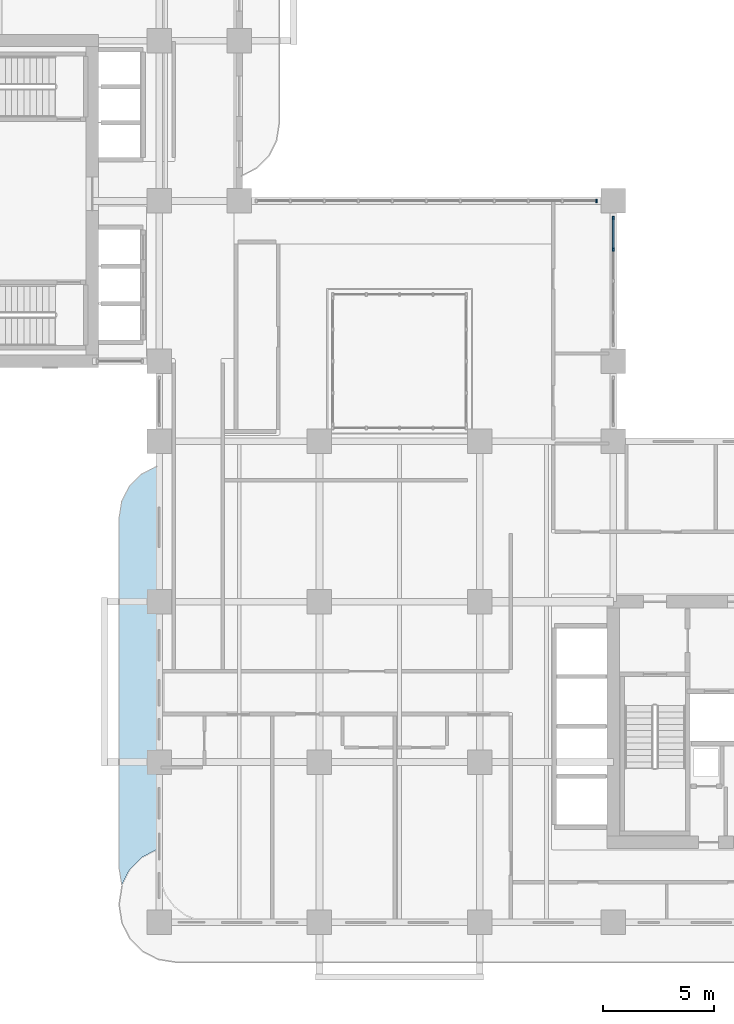
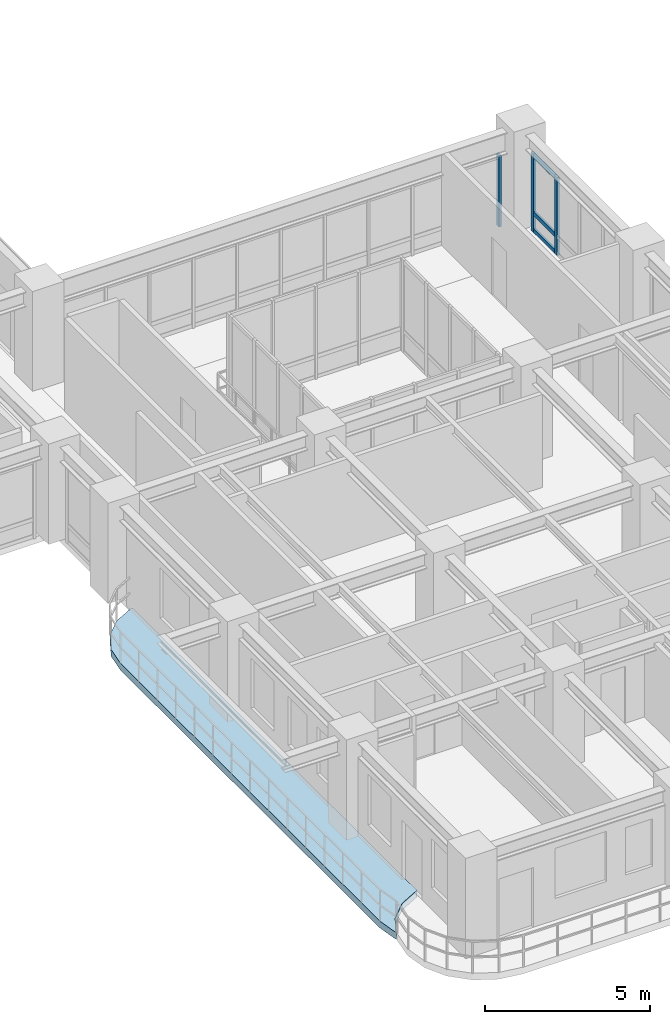
# One storey, part 8 of 22: 6 members, 1 slab, 2 elements without a shape of their own.
"""IFC4 building model written with IfcOpenShell, lengths in metres."""

from ifc_helpers import new_model, si_unit, derived_unit, direction, frame, origin, origin_2d, place, context, subcontext, project, spatial, polyline, rectangle, outline, extrude, source, transform, mapped, material, layer, layer_set, material_profile, profile_set, type_object, element, aggregate, save


model = new_model("IFC4")

# Units and contexts
model_context = context("Model", 3, precision=1e-05, world=origin(), true_north=direction((0.0, 1.0)))
body_context = subcontext(model_context, "Body", "Model", "MODEL_VIEW")
ifc_project = project(units=[si_unit("LENGTHUNIT", "METRE"), si_unit("AREAUNIT", "SQUARE_METRE"), si_unit("VOLUMEUNIT", "CUBIC_METRE"), si_unit("PLANEANGLEUNIT", "RADIAN"), si_unit("MASSUNIT", "GRAM", prefix="KILO"), si_unit("THERMODYNAMICTEMPERATUREUNIT", "KELVIN"), si_unit("POWERUNIT", "WATT"), derived_unit("THERMALTRANSMITTANCEUNIT", [(si_unit("POWERUNIT", "WATT"), 1), (si_unit("AREAUNIT", "SQUARE_METRE"), -1), (si_unit("THERMODYNAMICTEMPERATUREUNIT", "KELVIN"), -1)])], contexts=[model_context])

# Site, building, storey
site_placement = place(None, origin())
site = spatial("IfcSite", under=ifc_project, at=site_placement, CompositionType="ELEMENT")
building_placement = place(site_placement, origin())
building = spatial("IfcBuilding", under=site, at=building_placement, Name="Zahravan Archway Hotel and Residences", CompositionType="ELEMENT")
storey_placement = place(building_placement, frame((0.0, 0.0, 80.5)))
storey = spatial("IfcBuildingStorey", under=building, at=storey_placement, Name="L19", CompositionType="ELEMENT", Elevation=80.5)

# Curtain wall, members
ifc_material_1 = material(Name="Bronze-Anodized Unitised Aluminium & Low-E Glass", Category="aluminium")
ifc_layer_1 = layer(ifc_material_1, 0.179931640625, Name="Bronze-Anodized Unitised Aluminium & Low-E Glass", Category="aluminium")
ifc_layer_set_1 = layer_set([ifc_layer_1], Name="Bronze-Anodized Unitised Aluminium & Low-E Glass")
curtain_wall_type = type_object("IfcCurtainWallType", Name="CW-ATR-GLAZ", PredefinedType="NOTDEFINED", material=ifc_layer_set_1)
curtain_wall_1_placement = place(storey_placement, origin())
curtain_wall_1 = element("IfcCurtainWall", 1, at=curtain_wall_1_placement, inside=storey, type_object=curtain_wall_type, Name="L19 Curtain Wall CW-L19-HNG-E-2", PredefinedType="NOTDEFINED")
ifc_material_2 = material(Name="Bronze-Anodized Extruded Aluminium", Category="aluminium")
ifc_material_profile_1 = material_profile(ifc_material_2, rectangle(XDim=0.080078125, YDim=0.139892578125, at=origin_2d()), Name="TRN 80x140", Category="aluminium")
ifc_profile_set_1 = profile_set([ifc_material_profile_1], Name="Bronze-Anodized Extruded Aluminium")
member_type_1 = type_object("IfcMemberType", Name="CWM-TRN-140", PredefinedType="USERDEFINED", material=ifc_profile_set_1)
shared_shape_1 = source(origin(), body_context, "Body", "SweptSolid", [
    extrude(rectangle(XDim=0.080078125, YDim=0.139892578125, at=origin_2d()), origin(), (0.0, 0.0, 1.0), 1.340087890625),
])
member_1_placement = place(storey_placement, frame((34.800048828125, 30.260009765625, 0.070068359375), z_axis=(0.0, 1.0, 0.0), x_axis=(-1.0, 0.0, 0.0)))
member_1 = element("IfcMember", 2, at=member_1_placement, type_object=member_type_1, Name="CW-L19-HNG-E-2 Transom 3-1", ObjectType="TRANSOM", PredefinedType="USERDEFINED", context=body_context, shape_type="MappedRepresentation", body=[
    mapped(shared_shape_1, transform((0.0, 0.0, 0.0), scale=1.0)),
])
member_2_placement = place(storey_placement, frame((34.800048828125, 30.260009765625, 0.6923828125), z_axis=(0.0, 1.0, 0.0), x_axis=(-1.0, 0.0, 0.0)))
member_2 = element("IfcMember", 3, at=member_2_placement, type_object=member_type_1, Name="CW-L19-HNG-E-2 Transom 3-2", ObjectType="TRANSOM", PredefinedType="USERDEFINED", context=body_context, shape_type="MappedRepresentation", body=[
    mapped(shared_shape_1, transform((0.0, 0.0, 0.0), scale=1.0)),
])
member_3_placement = place(storey_placement, frame((34.800048828125, 30.260009765625, 2.81494140625), z_axis=(0.0, 1.0, 0.0), x_axis=(-1.0, 0.0, 0.0)))
member_3 = element("IfcMember", 4, at=member_3_placement, type_object=member_type_1, Name="CW-L19-HNG-E-2 Transom 3-3", ObjectType="TRANSOM", PredefinedType="USERDEFINED", context=body_context, shape_type="MappedRepresentation", body=[
    mapped(shared_shape_1, transform((0.0, 0.0, 0.0), scale=1.0)),
])
ifc_material_profile_2 = material_profile(ifc_material_2, rectangle(XDim=0.080078125, YDim=0.159912109375, at=origin_2d()), Name="MUL 80x160", Category="aluminium")
ifc_profile_set_2 = profile_set([ifc_material_profile_2], Name="Bronze-Anodized Extruded Aluminium")
member_type_2 = type_object("IfcMemberType", Name="CWM-MUL-160", PredefinedType="MULLION", material=ifc_profile_set_2)
shared_shape_2 = source(origin(), body_context, "Body", "SweptSolid", [
    extrude(rectangle(XDim=0.080078125, YDim=0.159912109375, at=origin_2d()), origin(), (0.0, 0.0, 1.0), 2.885009765625),
])
member_4_placement = place(storey_placement, frame((34.800048828125, 30.219970703125, 0.0), z_axis=(0.0, 0.0, 1.0), x_axis=(1.0, 0.0, 0.0)))
member_4 = element("IfcMember", 5, at=member_4_placement, type_object=member_type_2, Name="CW-L19-HNG-E-2 Mullion 3", PredefinedType="MULLION", context=body_context, shape_type="MappedRepresentation", body=[
    mapped(shared_shape_2, transform((0.0, 0.0, 0.0), scale=1.0)),
])
member_5_placement = place(storey_placement, frame((34.800048828125, 31.639892578125, 0.0), z_axis=(0.0, 0.0, 1.0), x_axis=(1.0, 0.0, 0.0)))
member_5 = element("IfcMember", 6, at=member_5_placement, type_object=member_type_2, Name="CW-L19-HNG-E-2 Mullion 4", PredefinedType="MULLION", context=body_context, shape_type="MappedRepresentation", body=[
    mapped(shared_shape_2, transform((0.0, 0.0, 0.0), scale=1.0)),
])
aggregate(curtain_wall_1, [member_4, member_5, member_1, member_2, member_3])

# Curtain wall, member
curtain_wall_2_placement = place(storey_placement, origin())
curtain_wall_2 = element("IfcCurtainWall", 7, at=curtain_wall_2_placement, inside=storey, type_object=curtain_wall_type, Name="L19 Curtain Wall CW-L19-HNG-N-1", PredefinedType="NOTDEFINED")
shared_shape_3 = source(origin(), body_context, "Body", "SweptSolid", [
    extrude(rectangle(XDim=0.080078125, YDim=0.159912109375, at=origin_2d()), origin(), (0.0, 0.0, 1.0), 2.635009765625),
])
member_6_placement = place(storey_placement, frame((34.0400390625, 32.39990234375, 0.0), z_axis=(0.0, 0.0, 1.0), x_axis=(1.0, 0.0, 0.0)))
member_6 = element("IfcMember", 8, at=member_6_placement, type_object=member_type_2, Name="CW-L19-HNG-N-1 Mullion 10", PredefinedType="MULLION", context=body_context, shape_type="MappedRepresentation", body=[
    mapped(shared_shape_3, transform((0.0, 0.0, 0.0), scale=1.0)),
])
aggregate(curtain_wall_2, [member_6])

# Slab
ifc_material_3 = material(Name="Concrete C45/55", Category="concrete")
ifc_layer_2 = layer(ifc_material_3, 0.25, Name="Concrete C45/55", Category="concrete")
ifc_layer_set_2 = layer_set([ifc_layer_2], Name="Concrete C45/55")
slab_type = type_object("IfcSlabType", Name="SLB-BALC-250", PredefinedType="FLOOR", material=ifc_layer_set_2)
slab_placement = place(storey_placement, frame((0.0, 0.0, -0.25)))
element("IfcSlab", 9, at=slab_placement, inside=storey, type_object=slab_type, Name="L19 Wing A West Rounded Balcony Band", PredefinedType="FLOOR", context=body_context, shape_type="SweptSolid", body=[
    extrude(outline(polyline([(12.719970703125, 1.69287109375), (12.60009765625, 2.449951171875), (12.60009765625, 18.14990234375), (12.719970703125, 18.906982421875), (13.06787109375, 19.590087890625), (13.60986328125, 20.132080078125), (14.29296875, 20.47998046875), (14.3798828125, 20.493896484375), (14.3798828125, 3.298095703125), (14.37890625, 3.298095703125), (14.376953125, 3.2978515625), (14.35888671875, 3.294921875), (14.356689453125, 3.29443359375), (14.354736328125, 3.2939453125), (14.352783203125, 3.29296875), (13.64208984375, 2.930908203125), (13.64013671875, 2.9296875), (13.638427734375, 2.928466796875), (13.636962890625, 2.927001953125), (13.072998046875, 2.363037109375), (13.071533203125, 2.361572265625), (13.0703125, 2.35986328125), (13.069091796875, 2.35791015625), (12.72509765625, 1.6826171875), (12.719970703125, 1.69287109375)])), origin(), (0.0, 0.0, 1.0), 0.25),
])

save(model, "model.ifc")
